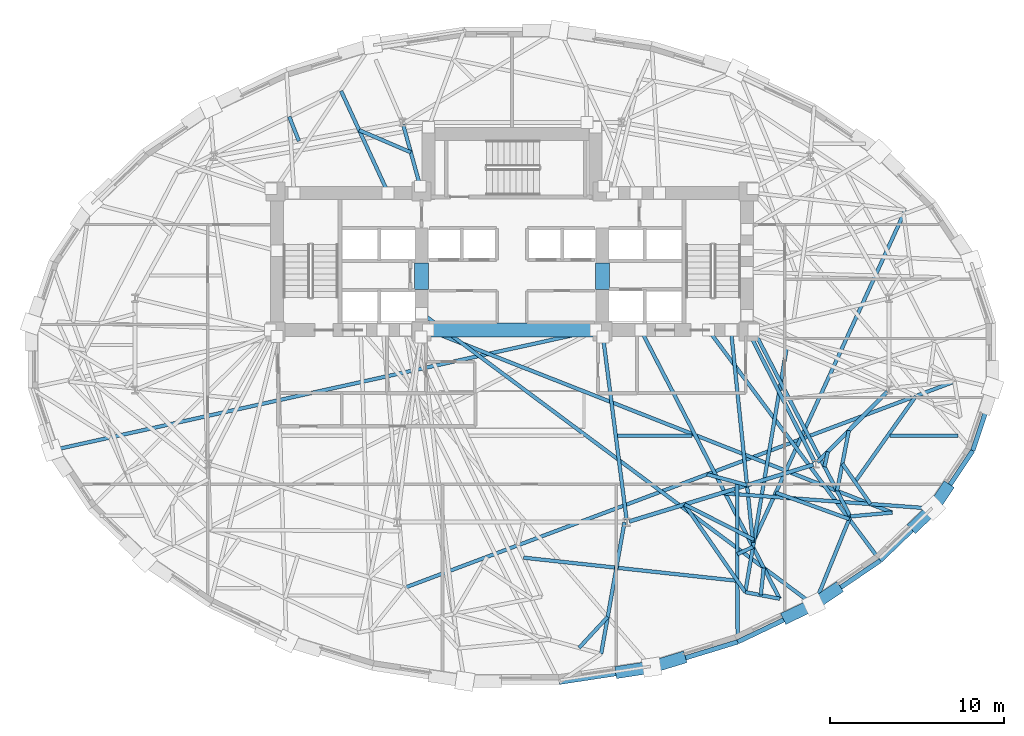
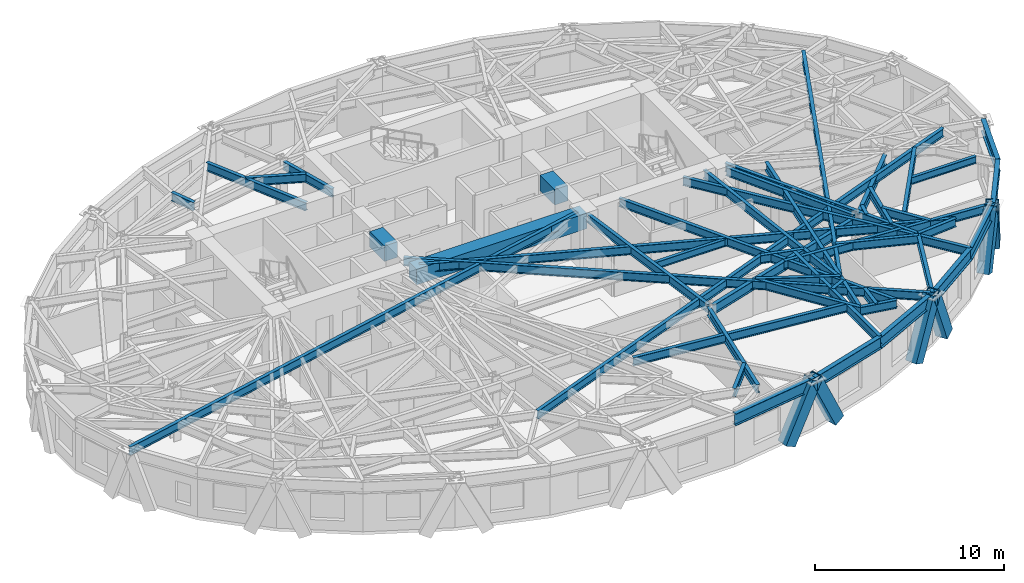
# One storey, part 3 of 14: 48 beams, 6 members.
"""IFC4 building model written with IfcOpenShell, lengths in metres."""

from ifc_helpers import new_model, si_unit, direction, frame, origin, origin_2d, place, context, subcontext, project, spatial, rectangle, hollow_rectangle, i_section, extrude, material, material_profile, profile_set, type_object, element, save


model = new_model("IFC4")

# Units and contexts
model_context = context("Model", 3, precision=1e-05, world=origin(), true_north=direction((0.0, 1.0)))
body_context = subcontext(model_context, "Body", "Model", "MODEL_VIEW")
ifc_project = project(units=[si_unit("LENGTHUNIT", "METRE"), si_unit("AREAUNIT", "SQUARE_METRE"), si_unit("VOLUMEUNIT", "CUBIC_METRE"), si_unit("PLANEANGLEUNIT", "RADIAN"), si_unit("MASSUNIT", "GRAM", prefix="KILO")], contexts=[model_context])

# Site, building, storey
site_placement = place(None, origin())
site = spatial("IfcSite", under=ifc_project, at=site_placement, CompositionType="ELEMENT")
building_placement = place(site_placement, origin())
building = spatial("IfcBuilding", under=site, at=building_placement, Name="Keldmark Tower", CompositionType="ELEMENT")
storey_placement = place(building_placement, frame((0.0, 0.0, 100.10009765625)))
storey = spatial("IfcBuildingStorey", under=building, at=storey_placement, Name="L26", CompositionType="ELEMENT", Elevation=100.10009765625)

# Beams
ifc_material_1 = material(Name="Steel ASTM A992 Grade 50", Category="steel")
ifc_material_profile_1 = material_profile(ifc_material_1, i_section(OverallWidth=0.19091796875, OverallDepth=0.45703125, WebThickness=0.009033203125, FlangeThickness=0.014404296875, at=origin_2d()), Name="W18X50")
ifc_profile_set_1 = profile_set([ifc_material_profile_1], Name="Steel ASTM A992 Grade 50")
beam_type_1 = type_object("IfcBeamType", Name="Composite Floor Joist W18X50", PredefinedType="JOIST", material=ifc_profile_set_1)
beam_1_placement = place(storey_placement, frame((6.06884765625, -4.60009765625, 3.081298828125), z_axis=(1.0, 0.0, 0.0), x_axis=(0.0, 1.0, 0.0)))
element("IfcBeam", 1, at=beam_1_placement, inside=storey, type_object=beam_type_1, Name="L26 Composite Floor Joist J06", PredefinedType="JOIST", context=body_context, shape_type="SweptSolid", body=[
    extrude(i_section(OverallWidth=0.19091796875, OverallDepth=0.45703125, WebThickness=0.009033203125, FlangeThickness=0.014404296875, at=origin_2d()), origin(), (0.0, 0.0, 1.0), 4.287353515625),
])
beam_2_placement = place(storey_placement, frame((21.74658203125, -4.60009765625, 3.081298828125), z_axis=(1.0, 0.0, 0.0), x_axis=(0.0, 1.0, 0.0)))
element("IfcBeam", 2, at=beam_2_placement, inside=storey, type_object=beam_type_1, Name="L26 Composite Floor Joist J07", PredefinedType="JOIST", context=body_context, shape_type="SweptSolid", body=[
    extrude(i_section(OverallWidth=0.19091796875, OverallDepth=0.45703125, WebThickness=0.009033203125, FlangeThickness=0.014404296875, at=origin_2d()), origin(), (0.0, 0.0, 1.0), 3.92138671875),
])
ifc_material_2 = material(Name="Concrete C70/85", Category="concrete")
ifc_material_profile_2 = material_profile(ifc_material_2, rectangle(XDim=0.800048828125, YDim=1.0, at=origin_2d()), Name="RCB800X1000")
ifc_profile_set_2 = profile_set([ifc_material_profile_2], Name="Concrete C70/85")
beam_type_2 = type_object("IfcBeamType", Name="Core Coupling Beam RCB800X1000", PredefinedType="USERDEFINED", material=ifc_profile_set_2)
for number, where, z_axis, x_axis, name in (
    (3, (-5.199951171875, 3.800048828125, 2.809814453125), (0.0, 1.0, 0.0), (-1.0, 0.0, 0.0), "L26 West Core Coupling Beam"),
    (4, (5.199951171875, 3.800048828125, 2.809814453125), (0.0, 1.0, 0.0), (-1.0, 0.0, 0.0), "L26 East Core Coupling Beam"),
):
    element("IfcBeam", number, at=place(storey_placement, frame(where, z_axis=z_axis, x_axis=x_axis)), inside=storey, type_object=beam_type_2, Name=name, ObjectType="COUPLING BEAM", PredefinedType="USERDEFINED", context=body_context, shape_type="SweptSolid", body=[
        extrude(rectangle(XDim=0.800048828125, YDim=1.0, at=origin_2d()), origin(), (0.0, 0.0, 1.0), 1.550048828125),
    ])
beam_3_placement = place(storey_placement, frame((-5.199951171875, 1.47509765625, 2.809814453125), z_axis=(1.0, 0.0, 0.0), x_axis=(0.0, 1.0, 0.0)))
element("IfcBeam", 5, at=beam_3_placement, inside=storey, type_object=beam_type_2, Name="L26 Central South Core Coupling Beam", ObjectType="COUPLING BEAM", PredefinedType="USERDEFINED", context=body_context, shape_type="SweptSolid", body=[
    extrude(rectangle(XDim=0.800048828125, YDim=1.0, at=origin_2d()), origin(), (0.0, 0.0, 1.0), 10.39990234375),
])

# Members
ifc_material_3 = material(Name="Steel ASTM A572 Grade 50", Category="steel")
ifc_material_profile_3 = material_profile(ifc_material_3, hollow_rectangle(XDim=0.699951171875, YDim=0.699951171875, WallThickness=0.044921875, at=origin_2d()), Name="BOX700X700X45")
ifc_profile_set_3 = profile_set([ifc_material_profile_3], Name="Steel ASTM A572 Grade 50")
member_type = type_object("IfcMemberType", Name="Diagrid Zone 2 Brace BOX700X700X45", PredefinedType="BRACE", material=ifc_profile_set_3)
member_1_placement = place(storey_placement, frame((6.267822265625, -18.189453125, -0.27001953125), z_axis=(0.454742835075, 0.069170031679, 0.887932689265), x_axis=(-0.150378326098, 0.98862852429, 0.0)))
element("IfcMember", 6, at=member_1_placement, inside=storey, type_object=member_type, Name="L26 Perimeter Diagrid Brace 13A", PredefinedType="BRACE", context=body_context, shape_type="SweptSolid", body=[
    extrude(hollow_rectangle(XDim=0.699951171875, YDim=0.699951171875, WallThickness=0.044921875, at=origin_2d()), origin(), (0.0, 0.0, 1.0), 3.896728515625),
])
member_2_placement = place(storey_placement, frame((9.674560546875, -17.41845703125, -0.27001953125), z_axis=(-0.425979763501, -0.130327191473, 0.895296634781), x_axis=(0.292560790284, -0.956246926264, 0.0)))
element("IfcMember", 7, at=member_2_placement, inside=storey, type_object=member_type, Name="L26 Perimeter Diagrid Brace 13B", PredefinedType="BRACE", context=body_context, shape_type="SweptSolid", body=[
    extrude(hollow_rectangle(XDim=0.699951171875, YDim=0.699951171875, WallThickness=0.044921875, at=origin_2d()), origin(), (0.0, 0.0, 1.0), 3.864501953125),
])
member_3_placement = place(storey_placement, frame((15.893310546875, -15.0126953125, -0.27001953125), z_axis=(0.38401046466, 0.183448963247, 0.904921234647), x_axis=(-0.431057279259, 0.902324565773, 0.0)))
element("IfcMember", 8, at=member_3_placement, inside=storey, type_object=member_type, Name="L26 Perimeter Diagrid Brace 14A", PredefinedType="BRACE", context=body_context, shape_type="SweptSolid", body=[
    extrude(hollow_rectangle(XDim=0.699951171875, YDim=0.699951171875, WallThickness=0.044921875, at=origin_2d()), origin(), (0.0, 0.0, 1.0), 3.823486328125),
])
member_4_placement = place(storey_placement, frame((18.618408203125, -13.459228515625, -0.27001953125), z_axis=(-0.33479314782, -0.226959811273, 0.914550595779), x_axis=(0.56112680855, -0.827729850088, 0.0)))
element("IfcMember", 9, at=member_4_placement, inside=storey, type_object=member_type, Name="L26 Perimeter Diagrid Brace 14B", PredefinedType="BRACE", context=body_context, shape_type="SweptSolid", body=[
    extrude(hollow_rectangle(XDim=0.699951171875, YDim=0.699951171875, WallThickness=0.044921875, at=origin_2d()), origin(), (0.0, 0.0, 1.0), 3.783203125),
])
member_5_placement = place(storey_placement, frame((23.212158203125, -9.759765625, -0.27001953125), z_axis=(0.276144933571, 0.265716991779, 0.923654944199), x_axis=(-0.693370375166, 0.720581378362, 0.0)))
element("IfcMember", 10, at=member_5_placement, inside=storey, type_object=member_type, Name="L26 Perimeter Diagrid Brace 15A", PredefinedType="BRACE", context=body_context, shape_type="SweptSolid", body=[
    extrude(hollow_rectangle(XDim=0.699951171875, YDim=0.699951171875, WallThickness=0.044921875, at=origin_2d()), origin(), (0.0, 0.0, 1.0), 3.745849609375),
])
member_6_placement = place(storey_placement, frame((24.9833984375, -7.657958984375, -0.27001953125), z_axis=(-0.20033727484, -0.300801977198, 0.932407178664), x_axis=(0.832302268479, -0.554322048889, 0.0)))
element("IfcMember", 11, at=member_6_placement, inside=storey, type_object=member_type, Name="L26 Perimeter Diagrid Brace 15B", PredefinedType="BRACE", context=body_context, shape_type="SweptSolid", body=[
    extrude(hollow_rectangle(XDim=0.699951171875, YDim=0.699951171875, WallThickness=0.044921875, at=origin_2d()), origin(), (0.0, 0.0, 1.0), 3.710693359375),
])

# Beams
ifc_material_4 = material(Name="Steel ASTM A992 Grade 50", Category="steel")
ifc_material_profile_4 = material_profile(ifc_material_4, i_section(OverallWidth=0.22900390625, OverallDepth=0.612060546875, WebThickness=0.011962890625, FlangeThickness=0.01953125, at=origin_2d()), Name="W24X84")
ifc_profile_set_4 = profile_set([ifc_material_profile_4], Name="Steel ASTM A992 Grade 50")
beam_type_3 = type_object("IfcBeamType", Name="Primary Floor Girder W24X84", PredefinedType="BEAM", material=ifc_profile_set_4)
beam_4_placement = place(storey_placement, frame((6.74658203125, -9.5380859375, 3.00390625), z_axis=(0.955607954968, 0.294641199432, 0.0), x_axis=(-0.294641199432, 0.955607954968, 0.0)))
element("IfcBeam", 12, at=beam_4_placement, inside=storey, type_object=beam_type_3, Name="L26 Floor Ring Girder FG-R10", PredefinedType="BEAM", context=body_context, shape_type="SweptSolid", body=[
    extrude(i_section(OverallWidth=0.22900390625, OverallDepth=0.612060546875, WebThickness=0.011962890625, FlangeThickness=0.01953125, at=origin_2d()), origin(), (0.0, 0.0, 1.0), 11.089111328125),
])
beam_5_placement = place(storey_placement, frame((17.57568359375, -6.130126953125, 3.00390625), z_axis=(0.703425791323, 0.71076870788, 0.0), x_axis=(-0.71076870788, 0.703425791323, 0.0)))
element("IfcBeam", 13, at=beam_5_placement, inside=storey, type_object=beam_type_3, Name="L26 Floor Ring Girder FG-R11", PredefinedType="BEAM", context=body_context, shape_type="SweptSolid", body=[
    extrude(i_section(OverallWidth=0.22900390625, OverallDepth=0.612060546875, WebThickness=0.011962890625, FlangeThickness=0.01953125, at=origin_2d()), origin(), (0.0, 0.0, 1.0), 5.71875),
])
ifc_material_5 = material(Name="Steel ASTM A992 Grade 50", Category="steel")
ifc_material_profile_5 = material_profile(ifc_material_5, i_section(OverallWidth=0.2099609375, OverallDepth=0.537109375, WebThickness=0.010986328125, FlangeThickness=0.017333984375, at=origin_2d()), Name="W21X68")
ifc_profile_set_5 = profile_set([ifc_material_profile_5], Name="Steel ASTM A992 Grade 50")
beam_type_4 = type_object("IfcBeamType", Name="Radial Tie Girder W21X68", PredefinedType="BEAM", material=ifc_profile_set_5)
beam_6_placement = place(storey_placement, frame((-6.26171875, 13.297607421875, 3.04150390625), z_axis=(0.265997186795, -0.963973804944, 0.0), x_axis=(0.963973804944, 0.265997186795, 0.0)))
element("IfcBeam", 14, at=beam_6_placement, inside=storey, type_object=beam_type_4, Name="L26 Floor Radial Girder FG-C04", PredefinedType="BEAM", context=body_context, shape_type="SweptSolid", body=[
    extrude(i_section(OverallWidth=0.2099609375, OverallDepth=0.537109375, WebThickness=0.010986328125, FlangeThickness=0.017333984375, at=origin_2d()), origin(), (0.0, 0.0, 1.0), 3.67138671875),
])
beam_7_placement = place(storey_placement, frame((6.594970703125, -9.4404296875, 3.04150390625), z_axis=(-0.127642040045, 0.991820301069, 0.0), x_axis=(-0.991820301069, -0.127642040045, 0.0)))
element("IfcBeam", 15, at=beam_7_placement, inside=storey, type_object=beam_type_4, Name="L26 Floor Radial Girder FG-C10", PredefinedType="BEAM", context=body_context, shape_type="SweptSolid", body=[
    extrude(i_section(OverallWidth=0.2099609375, OverallDepth=0.537109375, WebThickness=0.010986328125, FlangeThickness=0.017333984375, at=origin_2d()), origin(), (0.0, 0.0, 1.0), 10.609619140625),
])
beam_8_placement = place(storey_placement, frame((17.413818359375, -6.104736328125, 3.04150390625), z_axis=(-0.453028637759, 0.891495963743, 0.0), x_axis=(-0.891495963743, -0.453028637759, 0.0)))
element("IfcBeam", 16, at=beam_8_placement, inside=storey, type_object=beam_type_4, Name="L26 Floor Radial Girder FG-C11", PredefinedType="BEAM", context=body_context, shape_type="SweptSolid", body=[
    extrude(i_section(OverallWidth=0.2099609375, OverallDepth=0.537109375, WebThickness=0.010986328125, FlangeThickness=0.017333984375, at=origin_2d()), origin(), (0.0, 0.0, 1.0), 8.09814453125),
])
beam_9_placement = place(storey_placement, frame((-5.822265625, 11.705078125, 3.04150390625), z_axis=(-0.918742788733, 0.39485654123, 0.0), x_axis=(-0.39485654123, -0.918742788733, 0.0)))
element("IfcBeam", 17, at=beam_9_placement, inside=storey, type_object=beam_type_4, Name="L26 Framing Pin Header PH-002", PredefinedType="BEAM", context=body_context, shape_type="SweptSolid", body=[
    extrude(i_section(OverallWidth=0.2099609375, OverallDepth=0.537109375, WebThickness=0.010986328125, FlangeThickness=0.017333984375, at=origin_2d()), origin(), (0.0, 0.0, 1.0), 3.237548828125),
])
beam_10_placement = place(storey_placement, frame((-7.132080078125, 9.375, 3.04150390625), z_axis=(-0.41889505374, 0.908034654599, 0.0), x_axis=(-0.908034654599, -0.41889505374, 0.0)))
element("IfcBeam", 18, at=beam_10_placement, inside=storey, type_object=beam_type_4, Name="L26 Sub-Ring Step Girder STP1-M05", PredefinedType="BEAM", context=body_context, shape_type="SweptSolid", body=[
    extrude(i_section(OverallWidth=0.2099609375, OverallDepth=0.537109375, WebThickness=0.010986328125, FlangeThickness=0.017333984375, at=origin_2d()), origin(), (0.0, 0.0, 1.0), 6.4541015625),
])
beam_11_placement = place(storey_placement, frame((-6.1748046875, -13.349609375, 3.04150390625), z_axis=(0.936336898088, 0.351102852851, 0.0), x_axis=(-0.351102852851, 0.936336898088, 0.0)))
element("IfcBeam", 19, at=beam_11_placement, inside=storey, type_object=beam_type_4, Name="L26 Perimeter Collector Ring Beam CRG1-M09", PredefinedType="BEAM", context=body_context, shape_type="SweptSolid", body=[
    extrude(i_section(OverallWidth=0.2099609375, OverallDepth=0.537109375, WebThickness=0.010986328125, FlangeThickness=0.017333984375, at=origin_2d()), origin(), (0.0, 0.0, 1.0), 33.787109375),
])
beam_12_placement = place(storey_placement, frame((11.22509765625, -6.8251953125, 3.04150390625), z_axis=(0.965260823005, -0.261288238485, 0.0), x_axis=(0.261288238485, 0.965260823005, 0.0)))
element("IfcBeam", 20, at=beam_12_placement, inside=storey, type_object=beam_type_4, Name="L26 Framing Pin Header PH-014", PredefinedType="BEAM", context=body_context, shape_type="SweptSolid", body=[
    extrude(i_section(OverallWidth=0.2099609375, OverallDepth=0.537109375, WebThickness=0.010986328125, FlangeThickness=0.017333984375, at=origin_2d()), origin(), (0.0, 0.0, 1.0), 2.383544921875),
])
beam_13_placement = place(storey_placement, frame((12.603515625, 1.47509765625, 3.04150390625), z_axis=(0.102811001246, -0.994700908828, 0.0), x_axis=(0.994700908828, 0.102811001246, 0.0)))
element("IfcBeam", 21, at=beam_13_placement, inside=storey, type_object=beam_type_4, Name="L26 Sub-Ring Step Girder STP2-M11", PredefinedType="BEAM", context=body_context, shape_type="SweptSolid", body=[
    extrude(i_section(OverallWidth=0.2099609375, OverallDepth=0.537109375, WebThickness=0.010986328125, FlangeThickness=0.017333984375, at=origin_2d()), origin(), (0.0, 0.0, 1.0), 12.2841796875),
])
beam_14_placement = place(storey_placement, frame((13.866455078125, -10.743896484375, 3.04150390625), z_axis=(0.416970317331, 0.908920103455, 0.0), x_axis=(-0.908920103455, 0.416970317331, 0.0)))
element("IfcBeam", 22, at=beam_14_placement, inside=storey, type_object=beam_type_4, Name="L26 Perimeter Collector Ring Beam CRG2-M11", PredefinedType="BEAM", context=body_context, shape_type="SweptSolid", body=[
    extrude(i_section(OverallWidth=0.2099609375, OverallDepth=0.537109375, WebThickness=0.010986328125, FlangeThickness=0.017333984375, at=origin_2d()), origin(), (0.0, 0.0, 1.0), 21.041015625),
])
beam_15_placement = place(storey_placement, frame((-12.2626953125, 12.360107421875, 3.04150390625), z_axis=(-0.369063913869, 0.929404017357, 0.0), x_axis=(-0.929404017357, -0.369063913869, 0.0)))
element("IfcBeam", 23, at=beam_15_placement, inside=storey, type_object=beam_type_4, Name="L26 Framing Pin Header PH-021", PredefinedType="BEAM", context=body_context, shape_type="SweptSolid", body=[
    extrude(i_section(OverallWidth=0.2099609375, OverallDepth=0.537109375, WebThickness=0.010986328125, FlangeThickness=0.017333984375, at=origin_2d()), origin(), (0.0, 0.0, 1.0), 1.502197265625),
])
beam_16_placement = place(storey_placement, frame((4.824951171875, 1.47509765625, 3.04150390625), z_axis=(-0.976430149111, -0.215833648692, 0.0), x_axis=(0.215833648692, -0.976430149111, 0.0)))
element("IfcBeam", 24, at=beam_16_placement, inside=storey, type_object=beam_type_4, Name="L26 Perimeter Radial Tie Girder RT-18", PredefinedType="BEAM", context=body_context, shape_type="SweptSolid", body=[
    extrude(i_section(OverallWidth=0.2099609375, OverallDepth=0.537109375, WebThickness=0.010986328125, FlangeThickness=0.017333984375, at=origin_2d()), origin(), (0.0, 0.0, 1.0), 32.104248046875),
])
beam_17_placement = place(storey_placement, frame((9.92578125, -8.557861328125, 3.04150390625), z_axis=(0.89201446868, -0.452006844711, 0.0), x_axis=(0.452006844711, 0.89201446868, 0.0)))
element("IfcBeam", 25, at=beam_17_placement, inside=storey, type_object=beam_type_4, Name="L26 Framing Pin Header PH-036", PredefinedType="BEAM", context=body_context, shape_type="SweptSolid", body=[
    extrude(i_section(OverallWidth=0.2099609375, OverallDepth=0.537109375, WebThickness=0.010986328125, FlangeThickness=0.017333984375, at=origin_2d()), origin(), (0.0, 0.0, 1.0), 4.49658203125),
])
beam_18_placement = place(storey_placement, frame((15.8134765625, 0.47998046875, 3.04150390625), z_axis=(-0.167141733983, -0.985932878426, 0.0), x_axis=(0.985932878426, -0.167141733983, 0.0)))
element("IfcBeam", 26, at=beam_18_placement, inside=storey, type_object=beam_type_4, Name="L26 Intermediate Radial Step Girder RT-27M", PredefinedType="BEAM", context=body_context, shape_type="SweptSolid", body=[
    extrude(i_section(OverallWidth=0.2099609375, OverallDepth=0.537109375, WebThickness=0.010986328125, FlangeThickness=0.017333984375, at=origin_2d()), origin(), (0.0, 0.0, 1.0), 14.286865234375),
])
beam_19_placement = place(storey_placement, frame((9.92578125, -8.557861328125, 3.04150390625), z_axis=(0.5697513477, -0.821817134035, 0.0), x_axis=(0.821817134035, 0.5697513477, 0.0)))
element("IfcBeam", 27, at=beam_19_placement, inside=storey, type_object=beam_type_4, Name="L26 Local Collector Chord RT-27C", PredefinedType="BEAM", context=body_context, shape_type="SweptSolid", body=[
    extrude(i_section(OverallWidth=0.2099609375, OverallDepth=0.537109375, WebThickness=0.010986328125, FlangeThickness=0.017333984375, at=origin_2d()), origin(), (0.0, 0.0, 1.0), 6.142578125),
])
beam_20_placement = place(storey_placement, frame((0.669189453125, -11.62109375, 3.04150390625), z_axis=(0.994206363768, -0.107488167923, 0.0), x_axis=(0.107488167923, 0.994206363768, 0.0)))
element("IfcBeam", 28, at=beam_20_placement, inside=storey, type_object=beam_type_4, Name="L26 Framing Pin Header PH-037", PredefinedType="BEAM", context=body_context, shape_type="SweptSolid", body=[
    extrude(i_section(OverallWidth=0.2099609375, OverallDepth=0.537109375, WebThickness=0.010986328125, FlangeThickness=0.017333984375, at=origin_2d()), origin(), (0.0, 0.0, 1.0), 12.374267578125),
])
beam_21_placement = place(storey_placement, frame((12.95068359375, -7.292236328125, 3.04150390625), z_axis=(0.003724963514, -0.999993062299, 0.0), x_axis=(0.999993062299, 0.003724963514, 0.0)))
element("IfcBeam", 29, at=beam_21_placement, inside=storey, type_object=beam_type_4, Name="L26 Perimeter Radial Tie Girder RT-27", PredefinedType="BEAM", context=body_context, shape_type="SweptSolid", body=[
    extrude(i_section(OverallWidth=0.2099609375, OverallDepth=0.537109375, WebThickness=0.010986328125, FlangeThickness=0.017333984375, at=origin_2d()), origin(), (0.0, 0.0, 1.0), 9.17578125),
])
beam_22_placement = place(storey_placement, frame((12.966064453125, -11.42138671875, 3.04150390625), z_axis=(0.907079392959, 0.420959588166, 0.0), x_axis=(-0.420959588166, 0.907079392959, 0.0)))
element("IfcBeam", 30, at=beam_22_placement, inside=storey, type_object=beam_type_4, Name="L26 Framing Pin Header PH-038", PredefinedType="BEAM", context=body_context, shape_type="SweptSolid", body=[
    extrude(i_section(OverallWidth=0.2099609375, OverallDepth=0.537109375, WebThickness=0.010986328125, FlangeThickness=0.017333984375, at=origin_2d()), origin(), (0.0, 0.0, 1.0), 0.992919921875),
])
beam_23_placement = place(storey_placement, frame((7.41796875, 1.47509765625, 3.04150390625), z_axis=(0.459109556407, -0.888379657137, 0.0), x_axis=(0.888379657137, 0.459109556407, 0.0)))
element("IfcBeam", 31, at=beam_23_placement, inside=storey, type_object=beam_type_4, Name="L26 Intermediate Radial Step Girder RT-28M", PredefinedType="BEAM", context=body_context, shape_type="SweptSolid", body=[
    extrude(i_section(OverallWidth=0.2099609375, OverallDepth=0.537109375, WebThickness=0.010986328125, FlangeThickness=0.017333984375, at=origin_2d()), origin(), (0.0, 0.0, 1.0), 17.402587890625),
])
beam_24_placement = place(storey_placement, frame((13.425537109375, -13.60595703125, 3.04150390625), z_axis=(0.982193207505, -0.18787363607, 0.0), x_axis=(0.18787363607, 0.982193207505, 0.0)))
element("IfcBeam", 32, at=beam_24_placement, inside=storey, type_object=beam_type_4, Name="L26 Local Collector Chord RT-28C", PredefinedType="BEAM", context=body_context, shape_type="SweptSolid", body=[
    extrude(i_section(OverallWidth=0.2099609375, OverallDepth=0.537109375, WebThickness=0.010986328125, FlangeThickness=0.017333984375, at=origin_2d()), origin(), (0.0, 0.0, 1.0), 2.01806640625),
])
beam_25_placement = place(storey_placement, frame((14.3173828125, -13.776611328125, 3.04150390625), z_axis=(0.107246862306, 0.994232422789, 0.0), x_axis=(-0.994232422789, 0.107246862306, 0.0)))
element("IfcBeam", 33, at=beam_25_placement, inside=storey, type_object=beam_type_4, Name="L26 Framing Pin Header PH-039", PredefinedType="BEAM", context=body_context, shape_type="SweptSolid", body=[
    extrude(i_section(OverallWidth=0.2099609375, OverallDepth=0.537109375, WebThickness=0.010986328125, FlangeThickness=0.017333984375, at=origin_2d()), origin(), (0.0, 0.0, 1.0), 1.58203125),
])
beam_26_placement = place(storey_placement, frame((-5.199951171875, 2.449951171875, 3.04150390625), z_axis=(0.802179432186, -0.59708304161, 0.0), x_axis=(0.59708304161, 0.802179432186, 0.0)))
element("IfcBeam", 34, at=beam_26_placement, inside=storey, type_object=beam_type_4, Name="L26 Perimeter Radial Tie Girder RT-28", PredefinedType="BEAM", context=body_context, shape_type="SweptSolid", body=[
    extrude(i_section(OverallWidth=0.2099609375, OverallDepth=0.537109375, WebThickness=0.010986328125, FlangeThickness=0.017333984375, at=origin_2d()), origin(), (0.0, 0.0, 1.0), 28.16064453125),
])
beam_27_placement = place(storey_placement, frame((18.17919921875, -5.5205078125, 3.04150390625), z_axis=(-0.218472344851, -0.975843140333, 0.0), x_axis=(0.975843140333, -0.218472344851, 0.0)))
element("IfcBeam", 35, at=beam_27_placement, inside=storey, type_object=beam_type_4, Name="L26 Framing Pin Header PH-040", PredefinedType="BEAM", context=body_context, shape_type="SweptSolid", body=[
    extrude(i_section(OverallWidth=0.2099609375, OverallDepth=0.537109375, WebThickness=0.010986328125, FlangeThickness=0.017333984375, at=origin_2d()), origin(), (0.0, 0.0, 1.0), 0.888427734375),
])
beam_28_placement = place(storey_placement, frame((13.89990234375, 1.47509765625, 3.04150390625), z_axis=(0.461052437955, -0.887372892, 0.0), x_axis=(0.887372892, 0.461052437955, 0.0)))
element("IfcBeam", 36, at=beam_28_placement, inside=storey, type_object=beam_type_4, Name="L26 Intermediate Radial Step Girder RT-29M", PredefinedType="BEAM", context=body_context, shape_type="SweptSolid", body=[
    extrude(i_section(OverallWidth=0.2099609375, OverallDepth=0.537109375, WebThickness=0.010986328125, FlangeThickness=0.017333984375, at=origin_2d()), origin(), (0.0, 0.0, 1.0), 12.083251953125),
])
beam_29_placement = place(storey_placement, frame((17.389892578125, -14.3642578125, 3.04150390625), z_axis=(0.376733853868, 0.926321544254, 0.0), x_axis=(-0.926321544254, 0.376733853868, 0.0)))
element("IfcBeam", 37, at=beam_29_placement, inside=storey, type_object=beam_type_4, Name="L26 Local Collector Chord RT-29C", PredefinedType="BEAM", context=body_context, shape_type="SweptSolid", body=[
    extrude(i_section(OverallWidth=0.2099609375, OverallDepth=0.537109375, WebThickness=0.010986328125, FlangeThickness=0.017333984375, at=origin_2d()), origin(), (0.0, 0.0, 1.0), 5.52392578125),
])
beam_30_placement = place(storey_placement, frame((15.182373046875, -7.875, 3.04150390625), z_axis=(0.940725912132, -0.339167743518, 0.0), x_axis=(0.339167743518, 0.940725912132, 0.0)))
element("IfcBeam", 38, at=beam_30_placement, inside=storey, type_object=beam_type_4, Name="L26 Framing Pin Header PH-041", PredefinedType="BEAM", context=body_context, shape_type="SweptSolid", body=[
    extrude(i_section(OverallWidth=0.2099609375, OverallDepth=0.537109375, WebThickness=0.010986328125, FlangeThickness=0.017333984375, at=origin_2d()), origin(), (0.0, 0.0, 1.0), 4.4931640625),
])
beam_31_placement = place(storey_placement, frame((11.30712890625, 1.47509765625, 3.04150390625), z_axis=(0.597474809089, -0.801887680728, 0.0), x_axis=(0.801887680728, 0.597474809089, 0.0)))
element("IfcBeam", 39, at=beam_31_placement, inside=storey, type_object=beam_type_4, Name="L26 Perimeter Radial Tie Girder RT-29", PredefinedType="BEAM", context=body_context, shape_type="SweptSolid", body=[
    extrude(i_section(OverallWidth=0.2099609375, OverallDepth=0.537109375, WebThickness=0.010986328125, FlangeThickness=0.017333984375, at=origin_2d()), origin(), (0.0, 0.0, 1.0), 16.54052734375),
])
beam_32_placement = place(storey_placement, frame((19.385986328125, -4.301025390625, 3.04150390625), z_axis=(-0.191792197269, -0.981435557266, 0.0), x_axis=(0.981435557266, -0.191792197269, 0.0)))
element("IfcBeam", 40, at=beam_32_placement, inside=storey, type_object=beam_type_4, Name="L26 Framing Pin Header PH-042", PredefinedType="BEAM", context=body_context, shape_type="SweptSolid", body=[
    extrude(i_section(OverallWidth=0.2099609375, OverallDepth=0.537109375, WebThickness=0.010986328125, FlangeThickness=0.017333984375, at=origin_2d()), origin(), (0.0, 0.0, 1.0), 3.541259765625),
])
beam_33_placement = place(storey_placement, frame((-4.824951171875, 1.47509765625, 3.04150390625), z_axis=(0.930656016683, -0.365895310999, 0.0), x_axis=(0.365895310999, 0.930656016683, 0.0)))
element("IfcBeam", 41, at=beam_33_placement, inside=storey, type_object=beam_type_4, Name="L26 Intermediate Radial Step Girder RT-30M", PredefinedType="BEAM", context=body_context, shape_type="SweptSolid", body=[
    extrude(i_section(OverallWidth=0.2099609375, OverallDepth=0.537109375, WebThickness=0.010986328125, FlangeThickness=0.017333984375, at=origin_2d()), origin(), (0.0, 0.0, 1.0), 28.69677734375),
])
beam_34_placement = place(storey_placement, frame((19.470947265625, -9.247314453125, 3.04150390625), z_axis=(0.995771647265, 0.091863085636, 0.0), x_axis=(-0.091863085636, 0.995771647265, 0.0)))
element("IfcBeam", 42, at=beam_34_placement, inside=storey, type_object=beam_type_4, Name="L26 Local Collector Chord RT-30C", PredefinedType="BEAM", context=body_context, shape_type="SweptSolid", body=[
    extrude(i_section(OverallWidth=0.2099609375, OverallDepth=0.537109375, WebThickness=0.010986328125, FlangeThickness=0.017333984375, at=origin_2d()), origin(), (0.0, 0.0, 1.0), 2.421142578125),
])
beam_35_placement = place(storey_placement, frame((19.012451171875, -6.21240234375, 3.04150390625), z_axis=(0.572536208018, -0.819879436569, 0.0), x_axis=(0.819879436569, 0.572536208018, 0.0)))
element("IfcBeam", 43, at=beam_35_placement, inside=storey, type_object=beam_type_4, Name="L26 Framing Pin Header PH-043", PredefinedType="BEAM", context=body_context, shape_type="SweptSolid", body=[
    extrude(i_section(OverallWidth=0.2099609375, OverallDepth=0.537109375, WebThickness=0.010986328125, FlangeThickness=0.017333984375, at=origin_2d()), origin(), (0.0, 0.0, 1.0), 2.831787109375),
])
beam_36_placement = place(storey_placement, frame((12.044921875, -7.904541015625, 3.04150390625), z_axis=(0.997323338441, -0.07311743021, 0.0), x_axis=(0.07311743021, 0.997323338441, 0.0)))
element("IfcBeam", 44, at=beam_36_placement, inside=storey, type_object=beam_type_4, Name="L26 Perimeter Radial Tie Girder RT-30", PredefinedType="BEAM", context=body_context, shape_type="SweptSolid", body=[
    extrude(i_section(OverallWidth=0.2099609375, OverallDepth=0.537109375, WebThickness=0.010986328125, FlangeThickness=0.017333984375, at=origin_2d()), origin(), (0.0, 0.0, 1.0), 12.281005859375),
])
beam_37_placement = place(storey_placement, frame((19.7421875, -7.25732421875, 3.04150390625), z_axis=(0.578692534562, 0.815545799108, 0.0), x_axis=(-0.815545799108, 0.578692534562, 0.0)))
element("IfcBeam", 45, at=beam_37_placement, inside=storey, type_object=beam_type_4, Name="L26 Framing Pin Header PH-044", PredefinedType="BEAM", context=body_context, shape_type="SweptSolid", body=[
    extrude(i_section(OverallWidth=0.2099609375, OverallDepth=0.537109375, WebThickness=0.010986328125, FlangeThickness=0.017333984375, at=origin_2d()), origin(), (0.0, 0.0, 1.0), 6.057861328125),
])
beam_38_placement = place(storey_placement, frame((5.131591796875, -17.1533203125, 3.04150390625), z_axis=(0.174381017898, 0.984678252322, 0.0), x_axis=(-0.984678252322, 0.174381017898, 0.0)))
element("IfcBeam", 46, at=beam_38_placement, inside=storey, type_object=beam_type_4, Name="L26 Straddling Support Chord RT-26RB", PredefinedType="BEAM", context=body_context, shape_type="SweptSolid", body=[
    extrude(i_section(OverallWidth=0.2099609375, OverallDepth=0.537109375, WebThickness=0.010986328125, FlangeThickness=0.017333984375, at=origin_2d()), origin(), (0.0, 0.0, 1.0), 7.69189453125),
])
beam_39_placement = place(storey_placement, frame((3.8603515625, -16.808837890625, 3.04150390625), z_axis=(0.679940549102, 0.73326724302, 0.0), x_axis=(-0.73326724302, 0.679940549102, 0.0)))
element("IfcBeam", 47, at=beam_39_placement, inside=storey, type_object=beam_type_4, Name="L26 Framing Pin Header PH-050", PredefinedType="BEAM", context=body_context, shape_type="SweptSolid", body=[
    extrude(i_section(OverallWidth=0.2099609375, OverallDepth=0.537109375, WebThickness=0.010986328125, FlangeThickness=0.017333984375, at=origin_2d()), origin(), (0.0, 0.0, 1.0), 2.421875),
])
ifc_material_6 = material(Name="Steel ASTM A992 Grade 50", Category="steel")
ifc_material_profile_6 = material_profile(ifc_material_6, i_section(OverallWidth=0.26806640625, OverallDepth=0.77001953125, WebThickness=0.015625, FlangeThickness=0.025390625, at=origin_2d()), Name="W30X132")
ifc_profile_set_6 = profile_set([ifc_material_profile_6], Name="Steel ASTM A992 Grade 50")
beam_type_5 = type_object("IfcBeamType", Name="Spandrel Ring Beam W30X132", PredefinedType="SPANDREL", material=ifc_profile_set_6)
beam_40_placement = place(storey_placement, frame((2.729736328125, -18.788330078125, 2.9248046875), z_axis=(0.988621773192, 0.150422702975, 0.0), x_axis=(-0.150422702975, 0.988621773192, 0.0)))
element("IfcBeam", 48, at=beam_40_placement, inside=storey, type_object=beam_type_5, Name="L26 Perimeter Spandrel Ring Beam SRB-25", PredefinedType="SPANDREL", context=body_context, shape_type="SweptSolid", body=[
    extrude(i_section(OverallWidth=0.26806640625, OverallDepth=0.77001953125, WebThickness=0.015625, FlangeThickness=0.025390625, at=origin_2d()), origin(), (0.0, 0.0, 1.0), 5.377197265625),
])
beam_41_placement = place(storey_placement, frame((8.045654296875, -17.9794921875, 2.9248046875), z_axis=(0.956228569431, 0.292620783617, 0.0), x_axis=(-0.292620783617, 0.956228569431, 0.0)))
element("IfcBeam", 49, at=beam_41_placement, inside=storey, type_object=beam_type_5, Name="L26 Perimeter Spandrel Ring Beam SRB-26", PredefinedType="SPANDREL", context=body_context, shape_type="SweptSolid", body=[
    extrude(i_section(OverallWidth=0.26806640625, OverallDepth=0.77001953125, WebThickness=0.015625, FlangeThickness=0.025390625, at=origin_2d()), origin(), (0.0, 0.0, 1.0), 5.165283203125),
])
beam_42_placement = place(storey_placement, frame((12.98486328125, -16.468017578125, 2.9248046875), z_axis=(0.902372757907, 0.430956385018, 0.0), x_axis=(-0.430956385018, 0.902372757907, 0.0)))
element("IfcBeam", 50, at=beam_42_placement, inside=storey, type_object=beam_type_5, Name="L26 Perimeter Spandrel Ring Beam SRB-27", PredefinedType="SPANDREL", context=body_context, shape_type="SweptSolid", body=[
    extrude(i_section(OverallWidth=0.26806640625, OverallDepth=0.77001953125, WebThickness=0.015625, FlangeThickness=0.025390625, at=origin_2d()), origin(), (0.0, 0.0, 1.0), 4.881591796875),
])
beam_43_placement = place(storey_placement, frame((17.389892578125, -14.3642578125, 2.9248046875), z_axis=(0.827754551165, 0.56109036975, 0.0), x_axis=(-0.56109036975, 0.827754551165, 0.0)))
element("IfcBeam", 51, at=beam_43_placement, inside=storey, type_object=beam_type_5, Name="L26 Perimeter Spandrel Ring Beam SRB-28", PredefinedType="SPANDREL", context=body_context, shape_type="SweptSolid", body=[
    extrude(i_section(OverallWidth=0.26806640625, OverallDepth=0.77001953125, WebThickness=0.015625, FlangeThickness=0.025390625, at=origin_2d()), origin(), (0.0, 0.0, 1.0), 4.590576171875),
])
beam_44_placement = place(storey_placement, frame((21.189697265625, -11.78857421875, 2.9248046875), z_axis=(0.720581378362, 0.693370375166, 0.0), x_axis=(-0.693370375166, 0.720581378362, 0.0)))
element("IfcBeam", 52, at=beam_44_placement, inside=storey, type_object=beam_type_5, Name="L26 Perimeter Spandrel Ring Beam SRB-29", PredefinedType="SPANDREL", context=body_context, shape_type="SweptSolid", body=[
    extrude(i_section(OverallWidth=0.26806640625, OverallDepth=0.77001953125, WebThickness=0.015625, FlangeThickness=0.025390625, at=origin_2d()), origin(), (0.0, 0.0, 1.0), 4.306640625),
])
beam_45_placement = place(storey_placement, frame((24.29296875, -8.802490234375, 2.9248046875), z_axis=(0.554265966169, 0.832339617432, 0.0), x_axis=(-0.832339617432, 0.554265966169, 0.0)))
element("IfcBeam", 53, at=beam_45_placement, inside=storey, type_object=beam_type_5, Name="L26 Perimeter Spandrel Ring Beam SRB-30", PredefinedType="SPANDREL", context=body_context, shape_type="SweptSolid", body=[
    extrude(i_section(OverallWidth=0.26806640625, OverallDepth=0.77001953125, WebThickness=0.015625, FlangeThickness=0.025390625, at=origin_2d()), origin(), (0.0, 0.0, 1.0), 4.02294921875),
])
beam_46_placement = place(storey_placement, frame((26.522705078125, -5.4541015625, 2.9248046875), z_axis=(0.314316911692, 0.94931811266, 0.0), x_axis=(-0.94931811266, 0.314316911692, 0.0)))
element("IfcBeam", 54, at=beam_46_placement, inside=storey, type_object=beam_type_5, Name="L26 Perimeter Spandrel Ring Beam SRB-31", PredefinedType="SPANDREL", context=body_context, shape_type="SweptSolid", body=[
    extrude(i_section(OverallWidth=0.26806640625, OverallDepth=0.77001953125, WebThickness=0.015625, FlangeThickness=0.025390625, at=origin_2d()), origin(), (0.0, 0.0, 1.0), 3.7958984375),
])

save(model, "model.ifc")
